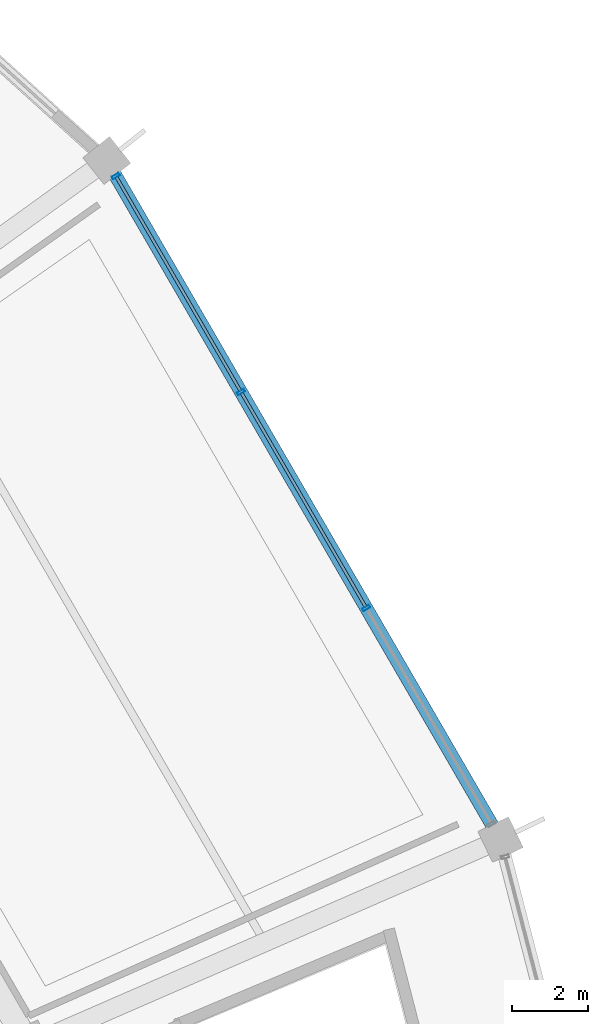
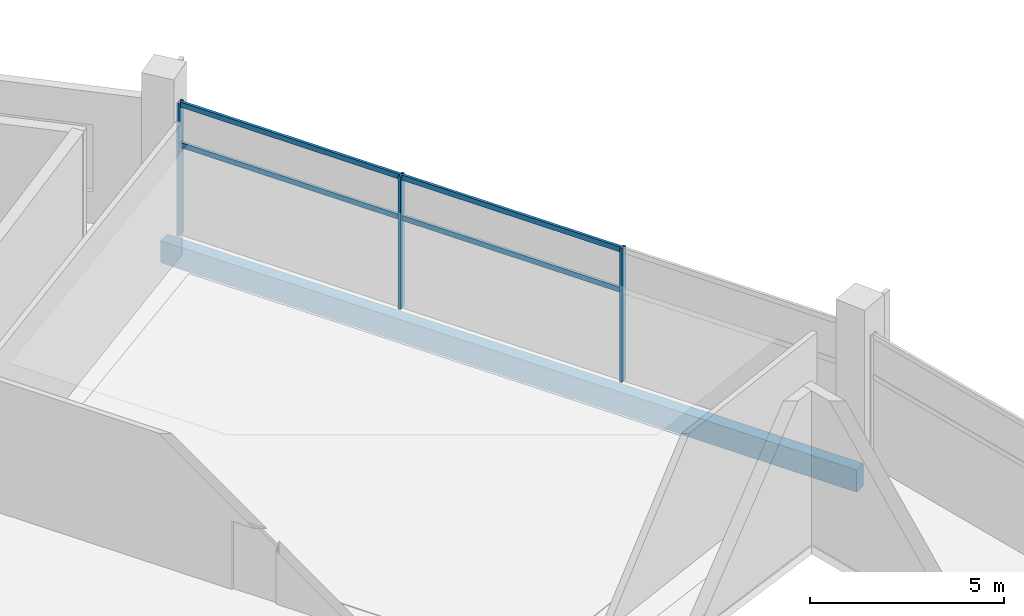
# One storey, part 130 of 184: 7 members, 1 beam, 1 element without a shape of its own.
"""IFC4 building model written with IfcOpenShell, lengths in metres."""

import ifcopenshell
import ifcopenshell.guid

model = None  # the IFC model being written
_history = None  # IfcOwnerHistory: only IFC2X3 demands one
_inside = {}  # id of a spatial element -> (the spatial element, [elements in it])
_under = {}  # id of a project, library or spatial element -> (it, [spatial elements below it])
_declared = {}  # id of a project -> (the project, [libraries it declares])
_typed = {}  # id of a type object -> (the type object, [elements of that type])
_made_of = {}  # id of a material, layer set ... -> (it, [elements and type objects made of it])


def new_model(schema):
    """Start an empty IFC model of exactly this schema.

    Asked for "IFC4X3", IfcOpenShell would pick the latest addendum, in which some entities
    have other attributes; the version numbers below select the first issue.
    IFC2X3 requires an IfcOwnerHistory on every rooted entity: one is made here for all.
    """
    global model, _history
    if schema == "IFC4X3":
        model = ifcopenshell.file(schema_version=(4, 3, 0, 0))
    else:
        model = ifcopenshell.file(schema=schema)
    _inside.clear()
    _under.clear()
    _declared.clear()
    _typed.clear()
    _made_of.clear()
    _history = None
    if model.schema == "IFC2X3":
        org = make("IfcOrganization", Name="unknown")
        user = make(
            "IfcPersonAndOrganization",
            ThePerson=make("IfcPerson", FamilyName="unknown"),
            TheOrganization=org,
        )
        app = make(
            "IfcApplication",
            ApplicationDeveloper=org,
            Version="unknown",
            ApplicationFullName="unknown",
            ApplicationIdentifier="unknown",
        )
        _history = make(
            "IfcOwnerHistory",
            OwningUser=user,
            OwningApplication=app,
            ChangeAction="ADDED",
            CreationDate=0,
        )
    return model


def make(cls, **values):
    """One entity of the class cls with the attributes given. An attribute that is None is left unset."""
    return model.create_entity(
        cls, **{name: value for name, value in values.items() if value is not None}
    )


def rooted(cls, **values):
    """An entity with a GlobalId (a new one), such as an element, a storey or a relation."""
    return make(cls, GlobalId=ifcopenshell.guid.new(), OwnerHistory=_history, **values)


def si_unit(unit_type, name, prefix=None):
    """IfcSIUnit, for example si_unit("LENGTHUNIT", "METRE", prefix="MILLI")."""
    return make("IfcSIUnit", UnitType=unit_type, Prefix=prefix, Name=name)


def assignment(units):
    """IfcUnitAssignment: the units of a project."""
    return None if units is None else make("IfcUnitAssignment", Units=units)


def point(xyz):
    """IfcCartesianPoint."""
    return None if xyz is None else make("IfcCartesianPoint", Coordinates=xyz)


def direction(xyz):
    """IfcDirection."""
    return None if xyz is None else make("IfcDirection", DirectionRatios=xyz)


def frame(location, z_axis=None, x_axis=None):
    """IfcAxis2Placement3D, a coordinate frame: its origin and axes. An axis left out is left unset."""
    return make(
        "IfcAxis2Placement3D",
        Location=point(location),
        Axis=direction(z_axis),
        RefDirection=direction(x_axis),
    )


def frame_2d(location, x_axis=None):
    """IfcAxis2Placement2D, a coordinate frame in the plane: its origin and x axis."""
    return make(
        "IfcAxis2Placement2D", Location=point(location), RefDirection=direction(x_axis)
    )


def origin():
    """The frame at (0, 0, 0) with its axes left unset."""
    return frame((0.0, 0.0, 0.0))


def origin_2d():
    """The frame at (0, 0) in the plane with its x axis left unset."""
    return frame_2d((0.0, 0.0))


def place(relative_to, where):
    """IfcLocalPlacement: puts the frame where relative to a parent placement (None: the world)."""
    return make(
        "IfcLocalPlacement", PlacementRelTo=relative_to, RelativePlacement=where
    )


def context(
    kind, dimensions, precision=None, world=None, true_north=None, identifier=None
):
    """IfcGeometricRepresentationContext, for example the 3D "Model" context."""
    return make(
        "IfcGeometricRepresentationContext",
        ContextIdentifier=identifier,
        ContextType=kind,
        CoordinateSpaceDimension=dimensions,
        Precision=precision,
        WorldCoordinateSystem=world,
        TrueNorth=true_north,
    )


def subcontext(parent, identifier, kind, view, scale=None):
    """IfcGeometricRepresentationSubContext, for example "Body" below "Model"."""
    return make(
        "IfcGeometricRepresentationSubContext",
        ContextIdentifier=identifier,
        ContextType=kind,
        ParentContext=parent,
        TargetScale=scale,
        TargetView=view,
    )


def project(units=None, contexts=None):
    """IfcProject with its units and contexts."""
    return rooted(
        "IfcProject",
        Name="project",
        RepresentationContexts=contexts,
        UnitsInContext=assignment(units),
    )


def spatial(cls, under=None, at=None, **own):
    """A site, building, storey or space (cls), placed at a placement, below another one or the project."""
    s = rooted(cls, ObjectPlacement=at, **own)
    if under is not None:
        _under.setdefault(under.id(), (under, []))[1].append(s)
    return s


def profile(cls, at=None, kind="AREA", **sizes):
    """A parametric profile (cls). Its sizes go by their IFC names, for example OverallWidth=200.0."""
    return make(cls, ProfileType=kind, Position=at, **sizes)


def rectangle(**sizes):
    """IfcRectangleProfileDef."""
    return profile("IfcRectangleProfileDef", **sizes)


def hollow_rectangle(**sizes):
    """IfcRectangleHollowProfileDef."""
    return profile("IfcRectangleHollowProfileDef", **sizes)


def extrude(swept, where, along, depth):
    """IfcExtrudedAreaSolid: the profile swept, set in the frame where, extruded along a direction by depth."""
    return make(
        "IfcExtrudedAreaSolid",
        SweptArea=swept,
        Position=where,
        ExtrudedDirection=direction(along),
        Depth=depth,
    )


def shape(context_of_items, identifier, shape_type, items):
    """IfcShapeRepresentation: the items that make up one representation, for example the "Body"."""
    return make(
        "IfcShapeRepresentation",
        ContextOfItems=context_of_items,
        RepresentationIdentifier=identifier,
        RepresentationType=shape_type,
        Items=items,
    )


def material(Name=None, Category=None):
    """IfcMaterial."""
    return make("IfcMaterial", Name=Name, Category=Category)


def layer(
    of_material, thickness, ventilated=None, Name=None, Category=None, Priority=None
):
    """IfcMaterialLayer: one layer of a wall or slab, of a material (None: an air gap)."""
    return make(
        "IfcMaterialLayer",
        Material=of_material,
        LayerThickness=thickness,
        IsVentilated=ventilated,
        Name=Name,
        Category=Category,
        Priority=Priority,
    )


def layer_set(layers, Name=None):
    """IfcMaterialLayerSet."""
    return make("IfcMaterialLayerSet", MaterialLayers=layers, LayerSetName=Name)


def material_profile(
    of_material, cross_section, Name=None, Category=None, Priority=None
):
    """IfcMaterialProfile: a cross section and its material."""
    return make(
        "IfcMaterialProfile",
        Name=Name,
        Material=of_material,
        Profile=cross_section,
        Priority=Priority,
        Category=Category,
    )


def profile_set(profiles, Name=None, composite=None):
    """IfcMaterialProfileSet."""
    return make(
        "IfcMaterialProfileSet",
        Name=Name,
        MaterialProfiles=profiles,
        CompositeProfile=composite,
    )


def made_of(thing, what):
    """Note that an element or type object is made of a material, layer set ...; save() writes the relation."""
    if what is not None:
        _made_of.setdefault(what.id(), (what, []))[1].append(thing)
    return thing


def type_object(cls, material=None, **own):
    """A type object (cls), such as IfcWallType, which elements share."""
    return made_of(rooted(cls, **own), material)


def element(
    cls,
    number,
    at=None,
    inside=None,
    cuts=None,
    type_object=None,
    material=None,
    context=None,
    identifier="Body",
    shape_type=None,
    held_by="IfcProductDefinitionShape",
    body=None,
    shapes=None,
    **own,
):
    """One element of the class cls, such as IfcWall. Its Tag is "e" and its number.

    at: its placement. inside: the storey or other place that contains it. cuts: it is an
    opening in that element (IfcRelVoidsElement). A single representation is given by context,
    identifier, shape_type and body (its items); several are given by shapes. held_by: the class
    of the entity that holds the representations. save() writes the other relations.
    """
    e = rooted(cls, Tag="e%d" % number, ObjectPlacement=at, **own)
    if body is not None:
        shapes = [shape(context, identifier, shape_type, body)]
    if shapes is not None:
        e.Representation = make(held_by, Representations=shapes)
    if inside is not None:
        _inside.setdefault(inside.id(), (inside, []))[1].append(e)
    if cuts is not None:
        rooted(
            "IfcRelVoidsElement", RelatingBuildingElement=cuts, RelatedOpeningElement=e
        )
    if type_object is not None:
        _typed.setdefault(type_object.id(), (type_object, []))[1].append(e)
    return made_of(e, material)


def aggregate(whole, parts):
    """IfcRelAggregates: a whole, such as a stair, and the parts it consists of."""
    return rooted("IfcRelAggregates", RelatingObject=whole, RelatedObjects=parts)


def save(model, path):
    """Write the relations noted so far, then the file.

    IfcRelAggregates (storeys below a building ...), IfcRelContainedInSpatialStructure (elements
    in a storey), IfcRelDefinesByType, IfcRelAssociatesMaterial and IfcRelDeclares: one each for
    every whole, place, type object, material and project.
    """
    for whole, parts in _under.values():
        aggregate(whole, parts)
    for where, things in _inside.values():
        rooted(
            "IfcRelContainedInSpatialStructure",
            RelatedElements=things,
            RelatingStructure=where,
        )
    for kind, things in _typed.values():
        rooted("IfcRelDefinesByType", RelatedObjects=things, RelatingType=kind)
    for what, things in _made_of.values():
        rooted("IfcRelAssociatesMaterial", RelatedObjects=things, RelatingMaterial=what)
    for by, libraries in _declared.values():
        rooted("IfcRelDeclares", RelatingContext=by, RelatedDefinitions=libraries)
    model.write(path)


model = new_model("IFC4")

# Units and contexts
model_context = context("Model", 3, precision=1e-05, world=origin(), true_north=direction((0.0, 1.0)))
body_context = subcontext(model_context, "Body", "Model", "MODEL_VIEW")
ifc_project = project(units=[si_unit("LENGTHUNIT", "METRE"), si_unit("AREAUNIT", "SQUARE_METRE"), si_unit("VOLUMEUNIT", "CUBIC_METRE"), si_unit("PLANEANGLEUNIT", "RADIAN"), si_unit("MASSUNIT", "GRAM", prefix="KILO")], contexts=[model_context])

# Site, building, storey
site_placement = place(None, origin())
site = spatial("IfcSite", under=ifc_project, at=site_placement, CompositionType="ELEMENT")
building_placement = place(site_placement, origin())
building = spatial("IfcBuilding", under=site, at=building_placement, Name="Kazemori Nagisa Stadium", CompositionType="ELEMENT")
storey_placement = place(building_placement, frame((0.0, 0.0, 10.5400390625)))
storey = spatial("IfcBuildingStorey", under=building, at=storey_placement, Name="L02", CompositionType="ELEMENT", Elevation=10.5400390625)

# Beam
ifc_material_1 = material(Name="Concrete C40/50 (Fc42)", Category="concrete")
ifc_material_profile_1 = material_profile(ifc_material_1, rectangle(XDim=0.35009765625, YDim=0.699951171875, at=origin_2d()), Name="RC-SP-350x700")
ifc_profile_set_1 = profile_set([ifc_material_profile_1], Name="Concrete C40/50 (Fc42)")
beam_type = type_object("IfcBeamType", Name="Beam_BS-RC350X700", PredefinedType="SPANDREL", material=ifc_profile_set_1)
beam_placement = place(storey_placement, frame((211.885009765625, 140.74951171875, -0.610107421875), z_axis=(-0.50161277459, 0.8650922635, 0.0), x_axis=(-0.8650922635, -0.50161277459, 0.0)))
element("IfcBeam", 1, at=beam_placement, inside=storey, type_object=beam_type, Name="Ring girder BS-RC350X700 L02 R3-03", PredefinedType="SPANDREL", context=body_context, shape_type="SweptSolid", body=[
    extrude(rectangle(XDim=0.35009765625, YDim=0.699951171875, at=origin_2d()), origin(), (0.0, 0.0, 1.0), 20.71240234375),
])

# Curtain wall, members
ifc_material_2 = material(Name="Anodised aluminium 6063-T5", Category="aluminium")
ifc_layer = layer(ifc_material_2, 0.2099609375, Name="Anodised aluminium 6063-T5", Category="aluminium")
ifc_layer_set = layer_set([ifc_layer], Name="Anodised aluminium 6063-T5")
curtain_wall_type = type_object("IfcCurtainWallType", Name="CW_L02R3_99", PredefinedType="USERDEFINED", material=ifc_layer_set)
curtain_wall_placement = place(storey_placement, origin())
curtain_wall = element("IfcCurtainWall", 2, at=curtain_wall_placement, inside=storey, type_object=curtain_wall_type, Name="Unitised curtain wall CW-L02R3-99 L02", ObjectType="UNITISED CURTAIN WALL", PredefinedType="USERDEFINED")
ifc_material_3 = material(Name="Aluminium 6063-T5 anodised", Category="aluminium")
ifc_material_profile_2 = material_profile(ifc_material_3, hollow_rectangle(XDim=0.080078125, YDim=0.2099609375, WallThickness=0.0048828125, at=origin_2d()), Name="ALU-MULL-80x210x5")
ifc_profile_set_2 = profile_set([ifc_material_profile_2], Name="Aluminium 6063-T5 anodised")
member_type_1 = type_object("IfcMemberType", Name="Mullion_M02", PredefinedType="MULLION", material=ifc_profile_set_2)
member_1_placement = place(storey_placement, frame((208.34228515625, 146.859130859375, 0.0), z_axis=(0.0, 0.0, 1.0), x_axis=(-0.501611590054, 0.865092950337, 0.0)))
member_1 = element("IfcMember", 3, at=member_1_placement, type_object=member_type_1, Name="Curtain wall mullion CW-L02R3-99-M2", PredefinedType="MULLION", context=body_context, shape_type="SweptSolid", body=[
    extrude(hollow_rectangle(XDim=0.080078125, YDim=0.2099609375, WallThickness=0.0048828125, at=origin_2d()), origin(), (0.0, 0.0, 1.0), 4.18994140625),
])
member_2_placement = place(storey_placement, frame((205.0380859375, 152.557861328125, 0.0), z_axis=(0.0, 0.0, 1.0), x_axis=(-0.501611590054, 0.865092950337, 0.0)))
member_2 = element("IfcMember", 4, at=member_2_placement, type_object=member_type_1, Name="Curtain wall mullion CW-L02R3-99-M3", PredefinedType="MULLION", context=body_context, shape_type="SweptSolid", body=[
    extrude(hollow_rectangle(XDim=0.080078125, YDim=0.2099609375, WallThickness=0.0048828125, at=origin_2d()), origin(), (0.0, 0.0, 1.0), 4.18994140625),
])
member_3_placement = place(storey_placement, frame((201.733642578125, 158.2568359375, 0.0), z_axis=(0.0, 0.0, 1.0), x_axis=(-0.501611590054, 0.865092950337, 0.0)))
member_3 = element("IfcMember", 5, at=member_3_placement, type_object=member_type_1, Name="Curtain wall mullion CW-L02R3-99-M4", PredefinedType="MULLION", context=body_context, shape_type="SweptSolid", body=[
    extrude(hollow_rectangle(XDim=0.080078125, YDim=0.2099609375, WallThickness=0.0048828125, at=origin_2d()), origin(), (0.0, 0.0, 1.0), 4.18994140625),
])
ifc_material_profile_3 = material_profile(ifc_material_3, hollow_rectangle(XDim=0.080078125, YDim=0.159912109375, WallThickness=0.00390625, at=origin_2d()), Name="ALU-TRAN-80x160x4")
ifc_profile_set_3 = profile_set([ifc_material_profile_3], Name="Aluminium 6063-T5 anodised")
member_type_2 = type_object("IfcMemberType", Name="Transom_T02", PredefinedType="USERDEFINED", material=ifc_profile_set_3)
member_4_placement = place(storey_placement, frame((208.332275390625, 146.87646484375, 2.84912109375), z_axis=(-0.501590295943, 0.865105297069, 0.0), x_axis=(-0.865105297069, -0.501590295943, 0.0)))
member_4 = element("IfcMember", 6, at=member_4_placement, type_object=member_type_2, Name="Curtain wall transom CW-L02R3-99-T2-mid", ObjectType="TRANSOM", PredefinedType="USERDEFINED", context=body_context, shape_type="SweptSolid", body=[
    extrude(hollow_rectangle(XDim=0.080078125, YDim=0.159912109375, WallThickness=0.00390625, at=origin_2d()), origin(), (0.0, 0.0, 1.0), 6.547607421875),
])
member_5_placement = place(storey_placement, frame((208.332275390625, 146.87646484375, 4.119873046875), z_axis=(-0.501590295943, 0.865105297069, 0.0), x_axis=(-0.865105297069, -0.501590295943, 0.0)))
member_5 = element("IfcMember", 7, at=member_5_placement, type_object=member_type_2, Name="Curtain wall transom CW-L02R3-99-T2-head", ObjectType="TRANSOM", PredefinedType="USERDEFINED", context=body_context, shape_type="SweptSolid", body=[
    extrude(hollow_rectangle(XDim=0.080078125, YDim=0.159912109375, WallThickness=0.00390625, at=origin_2d()), origin(), (0.0, 0.0, 1.0), 6.547607421875),
])
member_6_placement = place(storey_placement, frame((205.02783203125, 152.5751953125, 2.84912109375), z_axis=(-0.501590295943, 0.865105297069, 0.0), x_axis=(-0.865105297069, -0.501590295943, 0.0)))
member_6 = element("IfcMember", 8, at=member_6_placement, type_object=member_type_2, Name="Curtain wall transom CW-L02R3-99-T3-mid", ObjectType="TRANSOM", PredefinedType="USERDEFINED", context=body_context, shape_type="SweptSolid", body=[
    extrude(hollow_rectangle(XDim=0.080078125, YDim=0.159912109375, WallThickness=0.00390625, at=origin_2d()), origin(), (0.0, 0.0, 1.0), 6.547607421875),
])
member_7_placement = place(storey_placement, frame((205.02783203125, 152.5751953125, 4.119873046875), z_axis=(-0.501590295943, 0.865105297069, 0.0), x_axis=(-0.865105297069, -0.501590295943, 0.0)))
member_7 = element("IfcMember", 9, at=member_7_placement, type_object=member_type_2, Name="Curtain wall transom CW-L02R3-99-T3-head", ObjectType="TRANSOM", PredefinedType="USERDEFINED", context=body_context, shape_type="SweptSolid", body=[
    extrude(hollow_rectangle(XDim=0.080078125, YDim=0.159912109375, WallThickness=0.00390625, at=origin_2d()), origin(), (0.0, 0.0, 1.0), 6.547607421875),
])
aggregate(curtain_wall, [member_1, member_2, member_3, member_4, member_5, member_6, member_7])

save(model, "model.ifc")
